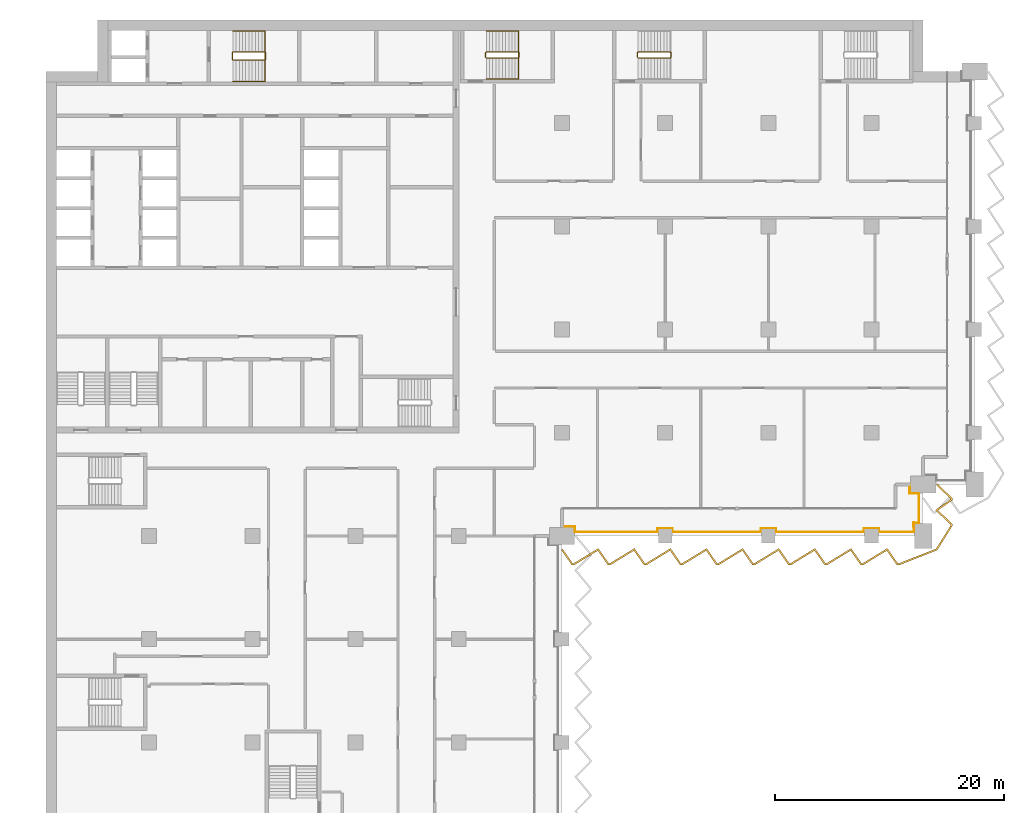
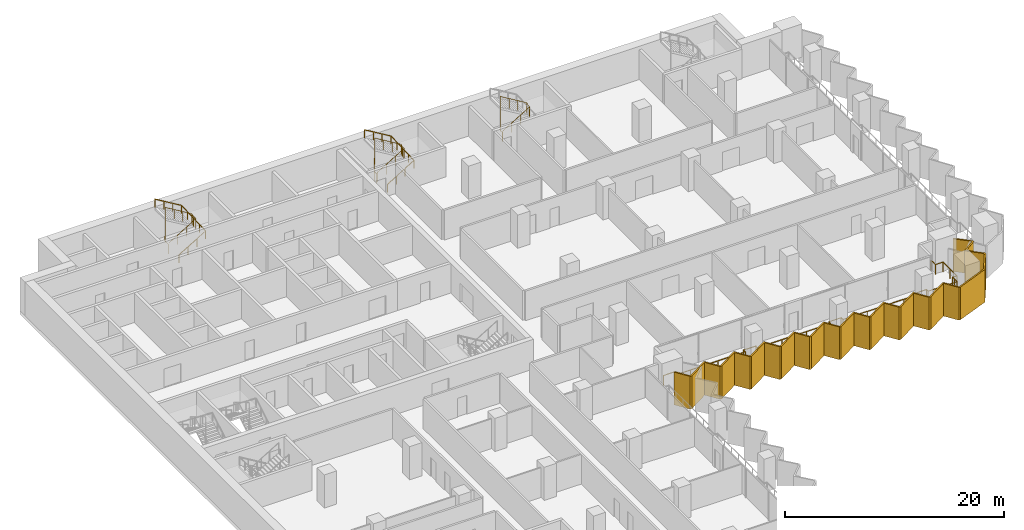
# One storey, part 21 of 22: 6 railings, 1 shading device.
"""IFC4 building model written with IfcOpenShell, lengths in metres."""

import ifcopenshell
import ifcopenshell.guid

model = None  # the IFC model being written
_history = None  # IfcOwnerHistory: only IFC2X3 demands one
_inside = {}  # id of a spatial element -> (the spatial element, [elements in it])
_under = {}  # id of a project, library or spatial element -> (it, [spatial elements below it])
_declared = {}  # id of a project -> (the project, [libraries it declares])
_typed = {}  # id of a type object -> (the type object, [elements of that type])
_made_of = {}  # id of a material, layer set ... -> (it, [elements and type objects made of it])


def new_model(schema):
    """Start an empty IFC model of exactly this schema.

    Asked for "IFC4X3", IfcOpenShell would pick the latest addendum, in which some entities
    have other attributes; the version numbers below select the first issue.
    IFC2X3 requires an IfcOwnerHistory on every rooted entity: one is made here for all.
    """
    global model, _history
    if schema == "IFC4X3":
        model = ifcopenshell.file(schema_version=(4, 3, 0, 0))
    else:
        model = ifcopenshell.file(schema=schema)
    _inside.clear()
    _under.clear()
    _declared.clear()
    _typed.clear()
    _made_of.clear()
    _history = None
    if model.schema == "IFC2X3":
        org = make("IfcOrganization", Name="unknown")
        user = make(
            "IfcPersonAndOrganization",
            ThePerson=make("IfcPerson", FamilyName="unknown"),
            TheOrganization=org,
        )
        app = make(
            "IfcApplication",
            ApplicationDeveloper=org,
            Version="unknown",
            ApplicationFullName="unknown",
            ApplicationIdentifier="unknown",
        )
        _history = make(
            "IfcOwnerHistory",
            OwningUser=user,
            OwningApplication=app,
            ChangeAction="ADDED",
            CreationDate=0,
        )
    return model


def make(cls, **values):
    """One entity of the class cls with the attributes given. An attribute that is None is left unset."""
    return model.create_entity(
        cls, **{name: value for name, value in values.items() if value is not None}
    )


def rooted(cls, **values):
    """An entity with a GlobalId (a new one), such as an element, a storey or a relation."""
    return make(cls, GlobalId=ifcopenshell.guid.new(), OwnerHistory=_history, **values)


def si_unit(unit_type, name, prefix=None):
    """IfcSIUnit, for example si_unit("LENGTHUNIT", "METRE", prefix="MILLI")."""
    return make("IfcSIUnit", UnitType=unit_type, Prefix=prefix, Name=name)


def assignment(units):
    """IfcUnitAssignment: the units of a project."""
    return None if units is None else make("IfcUnitAssignment", Units=units)


def point(xyz):
    """IfcCartesianPoint."""
    return None if xyz is None else make("IfcCartesianPoint", Coordinates=xyz)


def direction(xyz):
    """IfcDirection."""
    return None if xyz is None else make("IfcDirection", DirectionRatios=xyz)


def frame(location, z_axis=None, x_axis=None):
    """IfcAxis2Placement3D, a coordinate frame: its origin and axes. An axis left out is left unset."""
    return make(
        "IfcAxis2Placement3D",
        Location=point(location),
        Axis=direction(z_axis),
        RefDirection=direction(x_axis),
    )


def frame_2d(location, x_axis=None):
    """IfcAxis2Placement2D, a coordinate frame in the plane: its origin and x axis."""
    return make(
        "IfcAxis2Placement2D", Location=point(location), RefDirection=direction(x_axis)
    )


def origin():
    """The frame at (0, 0, 0) with its axes left unset."""
    return frame((0.0, 0.0, 0.0))


def origin_2d():
    """The frame at (0, 0) in the plane with its x axis left unset."""
    return frame_2d((0.0, 0.0))


def place(relative_to, where):
    """IfcLocalPlacement: puts the frame where relative to a parent placement (None: the world)."""
    return make(
        "IfcLocalPlacement", PlacementRelTo=relative_to, RelativePlacement=where
    )


def context(
    kind, dimensions, precision=None, world=None, true_north=None, identifier=None
):
    """IfcGeometricRepresentationContext, for example the 3D "Model" context."""
    return make(
        "IfcGeometricRepresentationContext",
        ContextIdentifier=identifier,
        ContextType=kind,
        CoordinateSpaceDimension=dimensions,
        Precision=precision,
        WorldCoordinateSystem=world,
        TrueNorth=true_north,
    )


def subcontext(parent, identifier, kind, view, scale=None):
    """IfcGeometricRepresentationSubContext, for example "Body" below "Model"."""
    return make(
        "IfcGeometricRepresentationSubContext",
        ContextIdentifier=identifier,
        ContextType=kind,
        ParentContext=parent,
        TargetScale=scale,
        TargetView=view,
    )


def project(units=None, contexts=None):
    """IfcProject with its units and contexts."""
    return rooted(
        "IfcProject",
        Name="project",
        RepresentationContexts=contexts,
        UnitsInContext=assignment(units),
    )


def spatial(cls, under=None, at=None, **own):
    """A site, building, storey or space (cls), placed at a placement, below another one or the project."""
    s = rooted(cls, ObjectPlacement=at, **own)
    if under is not None:
        _under.setdefault(under.id(), (under, []))[1].append(s)
    return s


def polyline(points):
    """IfcPolyline through the points."""
    return make("IfcPolyline", Points=[point(p) for p in points])


def profile(cls, at=None, kind="AREA", **sizes):
    """A parametric profile (cls). Its sizes go by their IFC names, for example OverallWidth=200.0."""
    return make(cls, ProfileType=kind, Position=at, **sizes)


def circle(**sizes):
    """IfcCircleProfileDef."""
    return profile("IfcCircleProfileDef", **sizes)


def outline(outer, holes=None, kind="AREA"):
    """IfcArbitraryClosedProfileDef: a profile drawn as a closed curve; with holes, ...WithVoids."""
    if holes is None:
        return make("IfcArbitraryClosedProfileDef", ProfileType=kind, OuterCurve=outer)
    return make(
        "IfcArbitraryProfileDefWithVoids",
        ProfileType=kind,
        OuterCurve=outer,
        InnerCurves=holes,
    )


def extrude(swept, where, along, depth):
    """IfcExtrudedAreaSolid: the profile swept, set in the frame where, extruded along a direction by depth."""
    return make(
        "IfcExtrudedAreaSolid",
        SweptArea=swept,
        Position=where,
        ExtrudedDirection=direction(along),
        Depth=depth,
    )


def shape(context_of_items, identifier, shape_type, items):
    """IfcShapeRepresentation: the items that make up one representation, for example the "Body"."""
    return make(
        "IfcShapeRepresentation",
        ContextOfItems=context_of_items,
        RepresentationIdentifier=identifier,
        RepresentationType=shape_type,
        Items=items,
    )


def material(Name=None, Category=None):
    """IfcMaterial."""
    return make("IfcMaterial", Name=Name, Category=Category)


def layer(
    of_material, thickness, ventilated=None, Name=None, Category=None, Priority=None
):
    """IfcMaterialLayer: one layer of a wall or slab, of a material (None: an air gap)."""
    return make(
        "IfcMaterialLayer",
        Material=of_material,
        LayerThickness=thickness,
        IsVentilated=ventilated,
        Name=Name,
        Category=Category,
        Priority=Priority,
    )


def layer_set(layers, Name=None):
    """IfcMaterialLayerSet."""
    return make("IfcMaterialLayerSet", MaterialLayers=layers, LayerSetName=Name)


def made_of(thing, what):
    """Note that an element or type object is made of a material, layer set ...; save() writes the relation."""
    if what is not None:
        _made_of.setdefault(what.id(), (what, []))[1].append(thing)
    return thing


def type_object(cls, material=None, **own):
    """A type object (cls), such as IfcWallType, which elements share."""
    return made_of(rooted(cls, **own), material)


def element(
    cls,
    number,
    at=None,
    inside=None,
    cuts=None,
    type_object=None,
    material=None,
    context=None,
    identifier="Body",
    shape_type=None,
    held_by="IfcProductDefinitionShape",
    body=None,
    shapes=None,
    **own,
):
    """One element of the class cls, such as IfcWall. Its Tag is "e" and its number.

    at: its placement. inside: the storey or other place that contains it. cuts: it is an
    opening in that element (IfcRelVoidsElement). A single representation is given by context,
    identifier, shape_type and body (its items); several are given by shapes. held_by: the class
    of the entity that holds the representations. save() writes the other relations.
    """
    e = rooted(cls, Tag="e%d" % number, ObjectPlacement=at, **own)
    if body is not None:
        shapes = [shape(context, identifier, shape_type, body)]
    if shapes is not None:
        e.Representation = make(held_by, Representations=shapes)
    if inside is not None:
        _inside.setdefault(inside.id(), (inside, []))[1].append(e)
    if cuts is not None:
        rooted(
            "IfcRelVoidsElement", RelatingBuildingElement=cuts, RelatedOpeningElement=e
        )
    if type_object is not None:
        _typed.setdefault(type_object.id(), (type_object, []))[1].append(e)
    return made_of(e, material)


def aggregate(whole, parts):
    """IfcRelAggregates: a whole, such as a stair, and the parts it consists of."""
    return rooted("IfcRelAggregates", RelatingObject=whole, RelatedObjects=parts)


def save(model, path):
    """Write the relations noted so far, then the file.

    IfcRelAggregates (storeys below a building ...), IfcRelContainedInSpatialStructure (elements
    in a storey), IfcRelDefinesByType, IfcRelAssociatesMaterial and IfcRelDeclares: one each for
    every whole, place, type object, material and project.
    """
    for whole, parts in _under.values():
        aggregate(whole, parts)
    for where, things in _inside.values():
        rooted(
            "IfcRelContainedInSpatialStructure",
            RelatedElements=things,
            RelatingStructure=where,
        )
    for kind, things in _typed.values():
        rooted("IfcRelDefinesByType", RelatedObjects=things, RelatingType=kind)
    for what, things in _made_of.values():
        rooted("IfcRelAssociatesMaterial", RelatedObjects=things, RelatingMaterial=what)
    for by, libraries in _declared.values():
        rooted("IfcRelDeclares", RelatingContext=by, RelatedDefinitions=libraries)
    model.write(path)


model = new_model("IFC4")

# Units and contexts
model_context = context("Model", 3, precision=1e-05, world=origin(), true_north=direction((0.0, 1.0)))
body_context = subcontext(model_context, "Body", "Model", "MODEL_VIEW")
ifc_project = project(units=[si_unit("LENGTHUNIT", "METRE"), si_unit("AREAUNIT", "SQUARE_METRE"), si_unit("VOLUMEUNIT", "CUBIC_METRE"), si_unit("PLANEANGLEUNIT", "RADIAN"), si_unit("MASSUNIT", "GRAM", prefix="KILO")], contexts=[model_context])

# Site, building, storey
site_placement = place(None, origin())
site = spatial("IfcSite", under=ifc_project, at=site_placement, CompositionType="ELEMENT")
building_placement = place(site_placement, origin())
building = spatial("IfcBuilding", under=site, at=building_placement, Name="Hunhe Ridgeline Campus", CompositionType="ELEMENT")
storey_placement = place(building_placement, frame((0.0, 0.0, 84.800048828125)))
storey = spatial("IfcBuildingStorey", under=building, at=storey_placement, Name="L20", CompositionType="ELEMENT", Elevation=84.800048828125)

# Railing
ifc_material_1 = material(Name="Steel Q355", Category="steel")
railing_type_1 = type_object("IfcRailingType", Name="Loggia guard 1100 Steel Q355", PredefinedType="GUARDRAIL", material=ifc_material_1)
railing_1_placement = place(storey_placement, frame((45.0, 54.820068359375, 0.0)))
element("IfcRailing", 1, at=railing_1_placement, inside=storey, type_object=railing_type_1, Name="Loggia guard 2", PredefinedType="GUARDRAIL", context=body_context, shape_type="SweptSolid", body=[
    extrude(circle(Radius=0.02392578125, at=origin_2d()), frame((0.0, 0.0, 1.076171875), z_axis=(1.0, 0.0, 0.0), x_axis=(0.0, 1.0, 0.0)), (0.0, 0.0, 1.0), 1.14990234375),
    extrude(circle(Radius=0.02392578125, at=origin_2d()), frame((1.14990234375, 0.0, 1.076171875), z_axis=(0.0, -1.0, 0.0), x_axis=(1.0, 0.0, 0.0)), (0.0, 0.0, 1.0), 0.469970703125),
    extrude(circle(Radius=0.02392578125, at=origin_2d()), frame((1.14990234375, -0.469970703125, 1.076171875), z_axis=(1.0, 0.0, 0.0), x_axis=(0.0, 1.0, 0.0)), (0.0, 0.0, 1.0), 7.2001953125),
    extrude(circle(Radius=0.02392578125, at=origin_2d()), frame((8.35009765625, -0.469970703125, 1.076171875), z_axis=(0.0, 1.0, 0.0), x_axis=(-1.0, 0.0, 0.0)), (0.0, 0.0, 1.0), 0.31982421875),
    extrude(circle(Radius=0.02392578125, at=origin_2d()), frame((8.35009765625, -0.150146484375, 1.076171875), z_axis=(1.0, 0.0, 0.0), x_axis=(0.0, 1.0, 0.0)), (0.0, 0.0, 1.0), 1.2998046875),
    extrude(circle(Radius=0.02392578125, at=origin_2d()), frame((9.64990234375, -0.150146484375, 1.076171875), z_axis=(0.0, -1.0, 0.0), x_axis=(1.0, 0.0, 0.0)), (0.0, 0.0, 1.0), 0.31982421875),
    extrude(circle(Radius=0.02392578125, at=origin_2d()), frame((9.64990234375, -0.469970703125, 1.076171875), z_axis=(1.0, 0.0, 0.0), x_axis=(0.0, 1.0, 0.0)), (0.0, 0.0, 1.0), 7.7001953125),
    extrude(circle(Radius=0.02392578125, at=origin_2d()), frame((17.35009765625, -0.469970703125, 1.076171875), z_axis=(0.0, 1.0, 0.0), x_axis=(-1.0, 0.0, 0.0)), (0.0, 0.0, 1.0), 0.31982421875),
    extrude(circle(Radius=0.02392578125, at=origin_2d()), frame((17.35009765625, -0.150146484375, 1.076171875), z_axis=(1.0, 0.0, 0.0), x_axis=(0.0, 1.0, 0.0)), (0.0, 0.0, 1.0), 1.2998046875),
    extrude(circle(Radius=0.02392578125, at=origin_2d()), frame((18.64990234375, -0.150146484375, 1.076171875), z_axis=(0.0, -1.0, 0.0), x_axis=(1.0, 0.0, 0.0)), (0.0, 0.0, 1.0), 0.31982421875),
    extrude(circle(Radius=0.02392578125, at=origin_2d()), frame((18.64990234375, -0.469970703125, 1.076171875), z_axis=(1.0, 0.0, 0.0), x_axis=(0.0, 1.0, 0.0)), (0.0, 0.0, 1.0), 7.7001953125),
    extrude(circle(Radius=0.02392578125, at=origin_2d()), frame((26.35009765625, -0.469970703125, 1.076171875), z_axis=(0.0, 1.0, 0.0), x_axis=(-1.0, 0.0, 0.0)), (0.0, 0.0, 1.0), 0.31982421875),
    extrude(circle(Radius=0.02392578125, at=origin_2d()), frame((26.35009765625, -0.150146484375, 1.076171875), z_axis=(1.0, 0.0, 0.0), x_axis=(0.0, 1.0, 0.0)), (0.0, 0.0, 1.0), 1.2998046875),
    extrude(circle(Radius=0.02392578125, at=origin_2d()), frame((27.64990234375, -0.150146484375, 1.076171875), z_axis=(0.0, -1.0, 0.0), x_axis=(1.0, 0.0, 0.0)), (0.0, 0.0, 1.0), 0.31982421875),
    extrude(circle(Radius=0.02392578125, at=origin_2d()), frame((27.64990234375, -0.469970703125, 1.076171875), z_axis=(1.0, 0.0, 0.0), x_axis=(0.0, 1.0, 0.0)), (0.0, 0.0, 1.0), 3.050048828125),
    extrude(circle(Radius=0.02392578125, at=origin_2d()), frame((30.699951171875, -0.469970703125, 1.076171875), z_axis=(0.0, 1.0, 0.0), x_axis=(-1.0, 0.0, 0.0)), (0.0, 0.0, 1.0), 0.81982421875),
    extrude(circle(Radius=0.02392578125, at=origin_2d()), frame((30.699951171875, 0.349853515625, 1.076171875), z_axis=(-0.057129153726, -0.99836679622, 0.0), x_axis=(0.99836679622, -0.057129153726, 0.0)), (0.0, 0.0, 1.0), 0.350341796875),
    extrude(circle(Radius=0.02392578125, at=origin_2d()), frame((30.679931640625, 0.0, 1.076171875), z_axis=(0.0, 1.0, 0.0), x_axis=(-1.0, 0.0, 0.0)), (0.0, 0.0, 1.0), 0.329833984375),
    extrude(circle(Radius=0.02392578125, at=origin_2d()), frame((30.679931640625, 0.329833984375, 1.076171875), z_axis=(1.0, 0.0, 0.0), x_axis=(0.0, 1.0, 0.0)), (0.0, 0.0, 1.0), 0.469970703125),
    extrude(circle(Radius=0.02392578125, at=origin_2d()), frame((31.14990234375, 0.329833984375, 1.076171875), z_axis=(0.0, 1.0, 0.0), x_axis=(-1.0, 0.0, 0.0)), (0.0, 0.0, 1.0), 2.550048828125),
    extrude(circle(Radius=0.02392578125, at=origin_2d()), frame((31.14990234375, 2.8798828125, 1.076171875), z_axis=(-1.0, 0.0, 0.0), x_axis=(0.0, -1.0, 0.0)), (0.0, 0.0, 1.0), 0.81982421875),
    extrude(circle(Radius=0.02392578125, at=origin_2d()), frame((30.330078125, 2.8798828125, 1.076171875), z_axis=(0.0, 1.0, 0.0), x_axis=(-1.0, 0.0, 0.0)), (0.0, 0.0, 1.0), 0.800048828125),
    extrude(circle(Radius=0.02099609375, at=origin_2d()), origin(), (0.0, 0.0, 1.0), 1.052001953125),
    extrude(circle(Radius=0.02099609375, at=origin_2d()), frame((1.14990234375, 0.0, 0.0)), (0.0, 0.0, 1.0), 1.052001953125),
    extrude(circle(Radius=0.02099609375, at=origin_2d()), frame((1.14990234375, -0.469970703125, 0.0)), (0.0, 0.0, 1.0), 1.052001953125),
    extrude(circle(Radius=0.02099609375, at=origin_2d()), frame((2.58984375, -0.469970703125, 0.0)), (0.0, 0.0, 1.0), 1.052001953125),
    extrude(circle(Radius=0.02099609375, at=origin_2d()), frame((4.030029296875, -0.469970703125, 0.0)), (0.0, 0.0, 1.0), 1.052001953125),
    extrude(circle(Radius=0.02099609375, at=origin_2d()), frame((5.469970703125, -0.469970703125, 0.0)), (0.0, 0.0, 1.0), 1.052001953125),
    extrude(circle(Radius=0.02099609375, at=origin_2d()), frame((6.91015625, -0.469970703125, 0.0)), (0.0, 0.0, 1.0), 1.052001953125),
    extrude(circle(Radius=0.02099609375, at=origin_2d()), frame((8.35009765625, -0.469970703125, 0.0)), (0.0, 0.0, 1.0), 1.052001953125),
    extrude(circle(Radius=0.02099609375, at=origin_2d()), frame((8.35009765625, -0.150146484375, 0.0)), (0.0, 0.0, 1.0), 1.052001953125),
    extrude(circle(Radius=0.02099609375, at=origin_2d()), frame((9.64990234375, -0.150146484375, 0.0)), (0.0, 0.0, 1.0), 1.052001953125),
    extrude(circle(Radius=0.02099609375, at=origin_2d()), frame((9.64990234375, -0.469970703125, 0.0)), (0.0, 0.0, 1.0), 1.052001953125),
    extrude(circle(Radius=0.02099609375, at=origin_2d()), frame((10.933349609375, -0.469970703125, 0.0)), (0.0, 0.0, 1.0), 1.052001953125),
    extrude(circle(Radius=0.02099609375, at=origin_2d()), frame((12.216552734375, -0.469970703125, 0.0)), (0.0, 0.0, 1.0), 1.052001953125),
    extrude(circle(Radius=0.02099609375, at=origin_2d()), frame((13.5, -0.469970703125, 0.0)), (0.0, 0.0, 1.0), 1.052001953125),
    extrude(circle(Radius=0.02099609375, at=origin_2d()), frame((14.783447265625, -0.469970703125, 0.0)), (0.0, 0.0, 1.0), 1.052001953125),
    extrude(circle(Radius=0.02099609375, at=origin_2d()), frame((16.066650390625, -0.469970703125, 0.0)), (0.0, 0.0, 1.0), 1.052001953125),
    extrude(circle(Radius=0.02099609375, at=origin_2d()), frame((17.35009765625, -0.469970703125, 0.0)), (0.0, 0.0, 1.0), 1.052001953125),
    extrude(circle(Radius=0.02099609375, at=origin_2d()), frame((17.35009765625, -0.150146484375, 0.0)), (0.0, 0.0, 1.0), 1.052001953125),
    extrude(circle(Radius=0.02099609375, at=origin_2d()), frame((18.64990234375, -0.150146484375, 0.0)), (0.0, 0.0, 1.0), 1.052001953125),
    extrude(circle(Radius=0.02099609375, at=origin_2d()), frame((18.64990234375, -0.469970703125, 0.0)), (0.0, 0.0, 1.0), 1.052001953125),
    extrude(circle(Radius=0.02099609375, at=origin_2d()), frame((19.933349609375, -0.469970703125, 0.0)), (0.0, 0.0, 1.0), 1.052001953125),
    extrude(circle(Radius=0.02099609375, at=origin_2d()), frame((21.216552734375, -0.469970703125, 0.0)), (0.0, 0.0, 1.0), 1.052001953125),
    extrude(circle(Radius=0.02099609375, at=origin_2d()), frame((22.5, -0.469970703125, 0.0)), (0.0, 0.0, 1.0), 1.052001953125),
    extrude(circle(Radius=0.02099609375, at=origin_2d()), frame((23.783447265625, -0.469970703125, 0.0)), (0.0, 0.0, 1.0), 1.052001953125),
    extrude(circle(Radius=0.02099609375, at=origin_2d()), frame((25.066650390625, -0.469970703125, 0.0)), (0.0, 0.0, 1.0), 1.052001953125),
    extrude(circle(Radius=0.02099609375, at=origin_2d()), frame((26.35009765625, -0.469970703125, 0.0)), (0.0, 0.0, 1.0), 1.052001953125),
    extrude(circle(Radius=0.02099609375, at=origin_2d()), frame((26.35009765625, -0.150146484375, 0.0)), (0.0, 0.0, 1.0), 1.052001953125),
    extrude(circle(Radius=0.02099609375, at=origin_2d()), frame((27.64990234375, -0.150146484375, 0.0)), (0.0, 0.0, 1.0), 1.052001953125),
    extrude(circle(Radius=0.02099609375, at=origin_2d()), frame((27.64990234375, -0.469970703125, 0.0)), (0.0, 0.0, 1.0), 1.052001953125),
    extrude(circle(Radius=0.02099609375, at=origin_2d()), frame((28.66650390625, -0.469970703125, 0.0)), (0.0, 0.0, 1.0), 1.052001953125),
    extrude(circle(Radius=0.02099609375, at=origin_2d()), frame((29.683349609375, -0.469970703125, 0.0)), (0.0, 0.0, 1.0), 1.052001953125),
    extrude(circle(Radius=0.02099609375, at=origin_2d()), frame((30.699951171875, -0.469970703125, 0.0)), (0.0, 0.0, 1.0), 1.052001953125),
    extrude(circle(Radius=0.02099609375, at=origin_2d()), frame((30.699951171875, 0.349853515625, 0.0)), (0.0, 0.0, 1.0), 1.052001953125),
    extrude(circle(Radius=0.02099609375, at=origin_2d()), frame((30.679931640625, 0.0, 0.0)), (0.0, 0.0, 1.0), 1.052001953125),
    extrude(circle(Radius=0.02099609375, at=origin_2d()), frame((30.679931640625, 0.329833984375, 0.0)), (0.0, 0.0, 1.0), 1.052001953125),
    extrude(circle(Radius=0.02099609375, at=origin_2d()), frame((31.14990234375, 0.329833984375, 0.0)), (0.0, 0.0, 1.0), 1.052001953125),
    extrude(circle(Radius=0.02099609375, at=origin_2d()), frame((31.14990234375, 1.60498046875, 0.0)), (0.0, 0.0, 1.0), 1.052001953125),
    extrude(circle(Radius=0.02099609375, at=origin_2d()), frame((31.14990234375, 2.8798828125, 0.0)), (0.0, 0.0, 1.0), 1.052001953125),
    extrude(circle(Radius=0.02099609375, at=origin_2d()), frame((30.330078125, 2.8798828125, 0.0)), (0.0, 0.0, 1.0), 1.052001953125),
    extrude(circle(Radius=0.02099609375, at=origin_2d()), frame((30.330078125, 3.679931640625, 0.0)), (0.0, 0.0, 1.0), 1.052001953125),
])

# Shading device
ifc_material_2 = material(Name="Concrete C50", Category="concrete")
ifc_layer = layer(ifc_material_2, 0.14990234375)
ifc_layer_set = layer_set([ifc_layer], Name="Sawtooth concrete fin 150 Concrete C50")
shading_device_type = type_object("IfcShadingDeviceType", Name="Sawtooth concrete fin 150 Concrete C50", PredefinedType="USERDEFINED", material=ifc_layer_set)
shading_device_placement = place(storey_placement, frame((0.0, 0.0, -0.949951171875)))
element("IfcShadingDevice", 2, at=shading_device_placement, inside=storey, type_object=shading_device_type, Name="Concrete fin screen 2", ObjectType="FIN", PredefinedType="USERDEFINED", context=body_context, shape_type="SweptSolid", body=[
    extrude(outline(polyline([(45.0615234375, 52.86767578125), (44.9384765625, 52.7822265625), (45.863525390625, 51.449951171875), (46.043701171875, 51.449951171875), (48.128662109375, 52.72412109375), (49.013427734375, 51.449951171875), (49.19384765625, 51.449951171875), (51.27880859375, 52.72412109375), (52.16357421875, 51.449951171875), (52.34375, 51.449951171875), (54.4287109375, 52.72412109375), (55.3134765625, 51.449951171875), (55.493896484375, 51.449951171875), (57.578857421875, 52.72412109375), (58.46337890625, 51.449951171875), (58.643798828125, 51.449951171875), (60.728759765625, 52.72412109375), (61.613525390625, 51.449951171875), (61.793701171875, 51.449951171875), (63.878662109375, 52.72412109375), (64.763427734375, 51.449951171875), (64.94384765625, 51.449951171875), (67.02880859375, 52.72412109375), (67.91357421875, 51.449951171875), (68.09375, 51.449951171875), (70.1787109375, 52.72412109375), (71.0634765625, 51.449951171875), (71.243896484375, 51.449951171875), (73.328857421875, 52.72412109375), (74.21337890625, 51.449951171875), (74.386962890625, 51.449951171875), (77.7255859375, 52.76416015625), (79.050048828125, 54.881103515625), (79.050048828125, 55.054931640625), (77.793701171875, 56.2412109375), (79.050048828125, 57.113525390625), (79.050048828125, 57.304931640625), (77.7265625, 58.554443359375), (77.62353515625, 58.445556640625), (78.89990234375, 57.240234375), (78.89990234375, 57.19189453125), (77.556396484375, 56.2587890625), (78.89990234375, 54.990234375), (78.89990234375, 54.92431640625), (77.62451171875, 52.8857421875), (74.3583984375, 51.60009765625), (74.2919921875, 51.60009765625), (73.371337890625, 52.92578125), (71.20166015625, 51.60009765625), (71.141845703125, 51.60009765625), (70.22119140625, 52.92578125), (68.051513671875, 51.60009765625), (67.991943359375, 51.60009765625), (67.0712890625, 52.92578125), (64.901611328125, 51.60009765625), (64.841796875, 51.60009765625), (63.921142578125, 52.92578125), (61.75146484375, 51.60009765625), (61.69189453125, 51.60009765625), (60.771240234375, 52.92578125), (58.6015625, 51.60009765625), (58.5419921875, 51.60009765625), (57.621337890625, 52.92578125), (55.45166015625, 51.60009765625), (55.391845703125, 51.60009765625), (54.47119140625, 52.92578125), (52.301513671875, 51.60009765625), (52.241943359375, 51.60009765625), (51.3212890625, 52.92578125), (49.151611328125, 51.60009765625), (49.091796875, 51.60009765625), (48.171142578125, 52.92578125), (46.00146484375, 51.60009765625), (45.94189453125, 51.60009765625), (45.0615234375, 52.86767578125)])), origin(), (0.0, 0.0, 1.0), 3.64990234375),
])

# Railings
ifc_material_3 = material(Name="Stainless steel balustrade", Category="steel")
railing_type_2 = type_object("IfcRailingType", Name="Stair guard 1100 stainless", PredefinedType="GUARDRAIL", material=ifc_material_3)
railing_2_placement = place(storey_placement, frame((16.300048828125, 95.5, 0.168212890625)))
element("IfcRailing", 3, at=railing_2_placement, inside=storey, type_object=railing_type_2, Name="L20 stair S1 guard", PredefinedType="GUARDRAIL", context=body_context, shape_type="SweptSolid", body=[
    extrude(circle(Radius=0.02392578125, at=origin_2d()), frame((0.0, 0.0, 1.076171875), z_axis=(0.857275202839, 0.0, 0.514858452973), x_axis=(0.0, 1.0, 0.0)), (0.0, 0.0, 1.0), 3.26611328125),
    extrude(circle(Radius=0.02392578125, at=origin_2d()), frame((2.800048828125, 0.0, 2.7578125), z_axis=(0.705375805398, 0.708833529934, 0.0), x_axis=(-0.708833529934, 0.705375805398, 0.0)), (0.0, 0.0, 1.0), 0.070556640625),
    extrude(circle(Radius=0.02392578125, at=origin_2d()), frame((2.849853515625, 0.050048828125, 2.7578125), z_axis=(0.0, 1.0, 0.0), x_axis=(-1.0, 0.0, 0.0)), (0.0, 0.0, 1.0), 0.599853515625),
    extrude(circle(Radius=0.02392578125, at=origin_2d()), frame((2.849853515625, 0.64990234375, 2.7578125), z_axis=(-0.273006030465, 0.27434429532, 0.922064485248), x_axis=(-0.708833529934, -0.705375805398, 0.0)), (0.0, 0.0, 1.0), 0.182373046875),
    extrude(circle(Radius=0.02392578125, at=origin_2d()), frame((2.800048828125, 0.699951171875, 2.92578125), z_axis=(-0.857242210791, 0.0, 0.514913383045), x_axis=(0.0, -1.0, 0.0)), (0.0, 0.0, 1.0), 3.266357421875),
    extrude(circle(Radius=0.02392578125, at=origin_2d()), frame((0.0, 0.699951171875, 4.60791015625), z_axis=(-0.013524414389, -0.013524414389, -0.999817073484), x_axis=(0.707106781187, -0.707106781187, 0.0)), (0.0, 0.0, 1.0), 3.70068359375),
    extrude(circle(Radius=0.02392578125, at=origin_2d()), frame((-0.050048828125, 0.64990234375, 0.90771484375), z_axis=(0.0, -1.0, 0.0), x_axis=(1.0, 0.0, 0.0)), (0.0, 0.0, 1.0), 0.599853515625),
    extrude(circle(Radius=0.02099609375, at=origin_2d()), origin(), (0.0, 0.0, 1.0), 1.052001953125),
    extrude(circle(Radius=0.02099609375, at=origin_2d()), frame((0.933349609375, 0.0, 0.560546875)), (0.0, 0.0, 1.0), 1.052001953125),
    extrude(circle(Radius=0.02099609375, at=origin_2d()), frame((1.86669921875, 0.0, 1.12109375)), (0.0, 0.0, 1.0), 1.052001953125),
    extrude(circle(Radius=0.02099609375, at=origin_2d()), frame((2.800048828125, 0.0, 1.681640625)), (0.0, 0.0, 1.0), 1.052001953125),
    extrude(circle(Radius=0.02099609375, at=origin_2d()), frame((2.849853515625, 0.050048828125, 1.681640625)), (0.0, 0.0, 1.0), 1.052001953125),
    extrude(circle(Radius=0.02099609375, at=origin_2d()), frame((2.849853515625, 0.64990234375, 1.681640625)), (0.0, 0.0, 1.0), 1.052001953125),
    extrude(circle(Radius=0.02099609375, at=origin_2d()), frame((2.800048828125, 0.699951171875, 1.849853515625)), (0.0, 0.0, 1.0), 1.052001953125),
    extrude(circle(Radius=0.02099609375, at=origin_2d()), frame((1.86669921875, 0.699951171875, 2.410400390625)), (0.0, 0.0, 1.0), 1.052001953125),
    extrude(circle(Radius=0.02099609375, at=origin_2d()), frame((0.933349609375, 0.699951171875, 2.97119140625)), (0.0, 0.0, 1.0), 1.052001953125),
    extrude(circle(Radius=0.02099609375, at=origin_2d()), frame((0.0, 0.699951171875, 3.53173828125)), (0.0, 0.0, 1.0), 1.052001953125),
    extrude(circle(Radius=0.02099609375, at=origin_2d()), frame((-0.012451171875, 0.6875, 2.606689453125)), (0.0, 0.0, 1.0), 1.052001953125),
    extrude(circle(Radius=0.02099609375, at=origin_2d()), frame((-0.02490234375, 0.6748046875, 1.681640625)), (0.0, 0.0, 1.0), 1.052001953125),
    extrude(circle(Radius=0.02099609375, at=origin_2d()), frame((-0.03759765625, 0.662353515625, 0.7568359375)), (0.0, 0.0, 1.0), 1.052001953125),
    extrude(circle(Radius=0.02099609375, at=origin_2d()), frame((-0.050048828125, 0.64990234375, -0.168212890625)), (0.0, 0.0, 1.0), 1.052001953125),
    extrude(circle(Radius=0.02099609375, at=origin_2d()), frame((-0.050048828125, 0.050048828125, -0.168212890625)), (0.0, 0.0, 1.0), 1.052001953125),
])
railing_3_placement = place(storey_placement, frame((38.39990234375, 95.699951171875, 0.168212890625)))
element("IfcRailing", 4, at=railing_3_placement, inside=storey, type_object=railing_type_2, Name="L20 stair E1 guard", PredefinedType="GUARDRAIL", context=body_context, shape_type="SweptSolid", body=[
    extrude(circle(Radius=0.02392578125, at=origin_2d()), frame((0.0, 0.0, 1.076171875), z_axis=(0.857275202839, 0.0, 0.514858452973), x_axis=(0.0, 1.0, 0.0)), (0.0, 0.0, 1.0), 3.26611328125),
    extrude(circle(Radius=0.02392578125, at=origin_2d()), frame((2.800048828125, 0.0, 2.7578125), z_axis=(0.707106781187, 0.707106781187, 0.0), x_axis=(-0.707106781187, 0.707106781187, 0.0)), (0.0, 0.0, 1.0), 0.07080078125),
    extrude(circle(Radius=0.02392578125, at=origin_2d()), frame((2.85009765625, 0.050048828125, 2.7578125), z_axis=(0.0, 1.0, 0.0), x_axis=(-1.0, 0.0, 0.0)), (0.0, 0.0, 1.0), 0.39990234375),
    extrude(circle(Radius=0.02392578125, at=origin_2d()), frame((2.85009765625, 0.449951171875, 2.7578125), z_axis=(-0.274243871929, 0.274243871929, 0.92172696468), x_axis=(-0.707106781187, -0.707106781187, 0.0)), (0.0, 0.0, 1.0), 0.1826171875),
    extrude(circle(Radius=0.02392578125, at=origin_2d()), frame((2.800048828125, 0.5, 2.92578125), z_axis=(-0.857242210791, 0.0, 0.514913383045), x_axis=(0.0, -1.0, 0.0)), (0.0, 0.0, 1.0), 3.266357421875),
    extrude(circle(Radius=0.02392578125, at=origin_2d()), frame((0.0, 0.5, 4.60791015625), z_axis=(-0.013458453615, -0.013524426427, -0.999817963389), x_axis=(0.708833529934, -0.705375805398, 0.0)), (0.0, 0.0, 1.0), 3.70068359375),
    extrude(circle(Radius=0.02392578125, at=origin_2d()), frame((-0.0498046875, 0.449951171875, 0.90771484375), z_axis=(0.0, -1.0, 0.0), x_axis=(1.0, 0.0, 0.0)), (0.0, 0.0, 1.0), 0.39990234375),
    extrude(circle(Radius=0.02099609375, at=origin_2d()), origin(), (0.0, 0.0, 1.0), 1.052001953125),
    extrude(circle(Radius=0.02099609375, at=origin_2d()), frame((0.933349609375, 0.0, 0.560546875)), (0.0, 0.0, 1.0), 1.052001953125),
    extrude(circle(Radius=0.02099609375, at=origin_2d()), frame((1.86669921875, 0.0, 1.12109375)), (0.0, 0.0, 1.0), 1.052001953125),
    extrude(circle(Radius=0.02099609375, at=origin_2d()), frame((2.800048828125, 0.0, 1.681640625)), (0.0, 0.0, 1.0), 1.052001953125),
    extrude(circle(Radius=0.02099609375, at=origin_2d()), frame((2.85009765625, 0.050048828125, 1.681640625)), (0.0, 0.0, 1.0), 1.052001953125),
    extrude(circle(Radius=0.02099609375, at=origin_2d()), frame((2.85009765625, 0.449951171875, 1.681640625)), (0.0, 0.0, 1.0), 1.052001953125),
    extrude(circle(Radius=0.02099609375, at=origin_2d()), frame((2.800048828125, 0.5, 1.849853515625)), (0.0, 0.0, 1.0), 1.052001953125),
    extrude(circle(Radius=0.02099609375, at=origin_2d()), frame((1.86669921875, 0.5, 2.410400390625)), (0.0, 0.0, 1.0), 1.052001953125),
    extrude(circle(Radius=0.02099609375, at=origin_2d()), frame((0.933349609375, 0.5, 2.97119140625)), (0.0, 0.0, 1.0), 1.052001953125),
    extrude(circle(Radius=0.02099609375, at=origin_2d()), frame((0.0, 0.5, 3.53173828125)), (0.0, 0.0, 1.0), 1.052001953125),
    extrude(circle(Radius=0.02099609375, at=origin_2d()), frame((-0.012451171875, 0.487548828125, 2.606689453125)), (0.0, 0.0, 1.0), 1.052001953125),
    extrude(circle(Radius=0.02099609375, at=origin_2d()), frame((-0.02490234375, 0.47509765625, 1.681640625)), (0.0, 0.0, 1.0), 1.052001953125),
    extrude(circle(Radius=0.02099609375, at=origin_2d()), frame((-0.037353515625, 0.46240234375, 0.7568359375)), (0.0, 0.0, 1.0), 1.052001953125),
    extrude(circle(Radius=0.02099609375, at=origin_2d()), frame((-0.0498046875, 0.449951171875, -0.168212890625)), (0.0, 0.0, 1.0), 1.052001953125),
    extrude(circle(Radius=0.02099609375, at=origin_2d()), frame((-0.0498046875, 0.050048828125, -0.168212890625)), (0.0, 0.0, 1.0), 1.052001953125),
])
railing_4_placement = place(storey_placement, frame((51.64990234375, 95.699951171875, 0.168212890625)))
element("IfcRailing", 5, at=railing_4_placement, inside=storey, type_object=railing_type_2, Name="L20 stair E2 guard", PredefinedType="GUARDRAIL", context=body_context, shape_type="SweptSolid", body=[
    extrude(circle(Radius=0.02392578125, at=origin_2d()), frame((0.0, 0.0, 1.076171875), z_axis=(0.857275202839, 0.0, 0.514858452973), x_axis=(0.0, 1.0, 0.0)), (0.0, 0.0, 1.0), 3.26611328125),
    extrude(circle(Radius=0.02392578125, at=origin_2d()), frame((2.800048828125, 0.0, 2.7578125), z_axis=(0.707106781187, 0.707106781187, 0.0), x_axis=(-0.707106781187, 0.707106781187, 0.0)), (0.0, 0.0, 1.0), 0.07080078125),
    extrude(circle(Radius=0.02392578125, at=origin_2d()), frame((2.85009765625, 0.050048828125, 2.7578125), z_axis=(0.0, 1.0, 0.0), x_axis=(-1.0, 0.0, 0.0)), (0.0, 0.0, 1.0), 0.39990234375),
    extrude(circle(Radius=0.02392578125, at=origin_2d()), frame((2.85009765625, 0.449951171875, 2.7578125), z_axis=(-0.274243871929, 0.274243871929, 0.92172696468), x_axis=(-0.707106781187, -0.707106781187, 0.0)), (0.0, 0.0, 1.0), 0.1826171875),
    extrude(circle(Radius=0.02392578125, at=origin_2d()), frame((2.800048828125, 0.5, 2.92578125), z_axis=(-0.857242210791, 0.0, 0.514913383045), x_axis=(0.0, -1.0, 0.0)), (0.0, 0.0, 1.0), 3.266357421875),
    extrude(circle(Radius=0.02392578125, at=origin_2d()), frame((0.0, 0.5, 4.60791015625), z_axis=(-0.013458453615, -0.013524426427, -0.999817963389), x_axis=(0.708833529934, -0.705375805398, 0.0)), (0.0, 0.0, 1.0), 3.70068359375),
    extrude(circle(Radius=0.02392578125, at=origin_2d()), frame((-0.0498046875, 0.449951171875, 0.90771484375), z_axis=(0.0, -1.0, 0.0), x_axis=(1.0, 0.0, 0.0)), (0.0, 0.0, 1.0), 0.39990234375),
    extrude(circle(Radius=0.02099609375, at=origin_2d()), origin(), (0.0, 0.0, 1.0), 1.052001953125),
    extrude(circle(Radius=0.02099609375, at=origin_2d()), frame((0.933349609375, 0.0, 0.560546875)), (0.0, 0.0, 1.0), 1.052001953125),
    extrude(circle(Radius=0.02099609375, at=origin_2d()), frame((1.86669921875, 0.0, 1.12109375)), (0.0, 0.0, 1.0), 1.052001953125),
    extrude(circle(Radius=0.02099609375, at=origin_2d()), frame((2.800048828125, 0.0, 1.681640625)), (0.0, 0.0, 1.0), 1.052001953125),
    extrude(circle(Radius=0.02099609375, at=origin_2d()), frame((2.85009765625, 0.050048828125, 1.681640625)), (0.0, 0.0, 1.0), 1.052001953125),
    extrude(circle(Radius=0.02099609375, at=origin_2d()), frame((2.85009765625, 0.449951171875, 1.681640625)), (0.0, 0.0, 1.0), 1.052001953125),
    extrude(circle(Radius=0.02099609375, at=origin_2d()), frame((2.800048828125, 0.5, 1.849853515625)), (0.0, 0.0, 1.0), 1.052001953125),
    extrude(circle(Radius=0.02099609375, at=origin_2d()), frame((1.86669921875, 0.5, 2.410400390625)), (0.0, 0.0, 1.0), 1.052001953125),
    extrude(circle(Radius=0.02099609375, at=origin_2d()), frame((0.933349609375, 0.5, 2.97119140625)), (0.0, 0.0, 1.0), 1.052001953125),
    extrude(circle(Radius=0.02099609375, at=origin_2d()), frame((0.0, 0.5, 3.53173828125)), (0.0, 0.0, 1.0), 1.052001953125),
    extrude(circle(Radius=0.02099609375, at=origin_2d()), frame((-0.012451171875, 0.487548828125, 2.606689453125)), (0.0, 0.0, 1.0), 1.052001953125),
    extrude(circle(Radius=0.02099609375, at=origin_2d()), frame((-0.02490234375, 0.47509765625, 1.681640625)), (0.0, 0.0, 1.0), 1.052001953125),
    extrude(circle(Radius=0.02099609375, at=origin_2d()), frame((-0.037353515625, 0.46240234375, 0.7568359375)), (0.0, 0.0, 1.0), 1.052001953125),
    extrude(circle(Radius=0.02099609375, at=origin_2d()), frame((-0.0498046875, 0.449951171875, -0.168212890625)), (0.0, 0.0, 1.0), 1.052001953125),
    extrude(circle(Radius=0.02099609375, at=origin_2d()), frame((-0.0498046875, 0.050048828125, -0.168212890625)), (0.0, 0.0, 1.0), 1.052001953125),
])
ifc_material_4 = material(Name="Stainless steel handrail", Category="steel")
railing_type_3 = type_object("IfcRailingType", Name="Stair handrail 900 stainless", PredefinedType="HANDRAIL", material=ifc_material_4)
railing_5_placement = place(storey_placement, frame((16.300048828125, 93.64990234375, 0.168212890625)))
element("IfcRailing", 6, at=railing_5_placement, inside=storey, type_object=railing_type_3, Name="L20 stair S1 handrail", PredefinedType="HANDRAIL", context=body_context, shape_type="SweptSolid", body=[
    extrude(circle(Radius=0.02392578125, at=origin_2d()), frame((0.0, 0.0, 0.8759765625), z_axis=(0.857275202839, 0.0, 0.514858452973), x_axis=(0.0, 1.0, 0.0)), (0.0, 0.0, 1.0), 3.26611328125),
    extrude(circle(Radius=0.02392578125, at=origin_2d()), frame((2.800048828125, 0.0, 2.5576171875), z_axis=(0.0, 0.999270074432, 0.038201025428), x_axis=(-1.0, 0.0, 0.0)), (0.0, 0.0, 1.0), 4.4033203125),
    extrude(circle(Radius=0.02392578125, at=origin_2d()), frame((2.800048828125, 4.400146484375, 2.7255859375), z_axis=(-0.857242210791, 0.0, 0.514913383045), x_axis=(0.0, -1.0, 0.0)), (0.0, 0.0, 1.0), 3.266357421875),
    extrude(circle(Radius=0.02099609375, at=origin_2d()), origin(), (0.0, 0.0, 1.0), 0.851806640625),
    extrude(circle(Radius=0.02099609375, at=origin_2d()), frame((0.933349609375, 0.0, 0.560546875)), (0.0, 0.0, 1.0), 0.851806640625),
    extrude(circle(Radius=0.02099609375, at=origin_2d()), frame((1.86669921875, 0.0, 1.12109375)), (0.0, 0.0, 1.0), 0.851806640625),
    extrude(circle(Radius=0.02099609375, at=origin_2d()), frame((2.800048828125, 0.0, 1.681640625)), (0.0, 0.0, 1.0), 0.851806640625),
    extrude(circle(Radius=0.02099609375, at=origin_2d()), frame((2.800048828125, 1.10009765625, 1.7236328125)), (0.0, 0.0, 1.0), 0.851806640625),
    extrude(circle(Radius=0.02099609375, at=origin_2d()), frame((2.800048828125, 2.2001953125, 1.765625)), (0.0, 0.0, 1.0), 0.851806640625),
    extrude(circle(Radius=0.02099609375, at=origin_2d()), frame((2.800048828125, 3.300048828125, 1.807861328125)), (0.0, 0.0, 1.0), 0.851806640625),
    extrude(circle(Radius=0.02099609375, at=origin_2d()), frame((2.800048828125, 4.400146484375, 1.849853515625)), (0.0, 0.0, 1.0), 0.851806640625),
    extrude(circle(Radius=0.02099609375, at=origin_2d()), frame((1.86669921875, 4.400146484375, 2.410400390625)), (0.0, 0.0, 1.0), 0.851806640625),
    extrude(circle(Radius=0.02099609375, at=origin_2d()), frame((0.933349609375, 4.400146484375, 2.97119140625)), (0.0, 0.0, 1.0), 0.851806640625),
    extrude(circle(Radius=0.02099609375, at=origin_2d()), frame((0.0, 4.400146484375, 3.53173828125)), (0.0, 0.0, 1.0), 0.851806640625),
])
railing_6_placement = place(storey_placement, frame((38.39990234375, 93.85009765625, 0.168212890625)))
element("IfcRailing", 7, at=railing_6_placement, inside=storey, type_object=railing_type_3, Name="L20 stair E1 handrail", PredefinedType="HANDRAIL", context=body_context, shape_type="SweptSolid", body=[
    extrude(circle(Radius=0.02392578125, at=origin_2d()), frame((0.0, 0.0, 0.8759765625), z_axis=(0.857275202839, 0.0, 0.514858452973), x_axis=(0.0, 1.0, 0.0)), (0.0, 0.0, 1.0), 3.26611328125),
    extrude(circle(Radius=0.02392578125, at=origin_2d()), frame((2.800048828125, 0.0, 2.5576171875), z_axis=(0.0, 0.999198916169, 0.040019069537), x_axis=(-1.0, 0.0, 0.0)), (0.0, 0.0, 1.0), 4.203369140625),
    extrude(circle(Radius=0.02392578125, at=origin_2d()), frame((2.800048828125, 4.199951171875, 2.7255859375), z_axis=(-0.857242210791, 0.0, 0.514913383045), x_axis=(0.0, -1.0, 0.0)), (0.0, 0.0, 1.0), 3.266357421875),
    extrude(circle(Radius=0.02099609375, at=origin_2d()), origin(), (0.0, 0.0, 1.0), 0.851806640625),
    extrude(circle(Radius=0.02099609375, at=origin_2d()), frame((0.933349609375, 0.0, 0.560546875)), (0.0, 0.0, 1.0), 0.851806640625),
    extrude(circle(Radius=0.02099609375, at=origin_2d()), frame((1.86669921875, 0.0, 1.12109375)), (0.0, 0.0, 1.0), 0.851806640625),
    extrude(circle(Radius=0.02099609375, at=origin_2d()), frame((2.800048828125, 0.0, 1.681640625)), (0.0, 0.0, 1.0), 0.851806640625),
    extrude(circle(Radius=0.02099609375, at=origin_2d()), frame((2.800048828125, 1.050048828125, 1.7236328125)), (0.0, 0.0, 1.0), 0.851806640625),
    extrude(circle(Radius=0.02099609375, at=origin_2d()), frame((2.800048828125, 2.10009765625, 1.765625)), (0.0, 0.0, 1.0), 0.851806640625),
    extrude(circle(Radius=0.02099609375, at=origin_2d()), frame((2.800048828125, 3.14990234375, 1.807861328125)), (0.0, 0.0, 1.0), 0.851806640625),
    extrude(circle(Radius=0.02099609375, at=origin_2d()), frame((2.800048828125, 4.199951171875, 1.849853515625)), (0.0, 0.0, 1.0), 0.851806640625),
    extrude(circle(Radius=0.02099609375, at=origin_2d()), frame((1.86669921875, 4.199951171875, 2.410400390625)), (0.0, 0.0, 1.0), 0.851806640625),
    extrude(circle(Radius=0.02099609375, at=origin_2d()), frame((0.933349609375, 4.199951171875, 2.97119140625)), (0.0, 0.0, 1.0), 0.851806640625),
    extrude(circle(Radius=0.02099609375, at=origin_2d()), frame((0.0, 4.199951171875, 3.53173828125)), (0.0, 0.0, 1.0), 0.851806640625),
])

save(model, "model.ifc")
